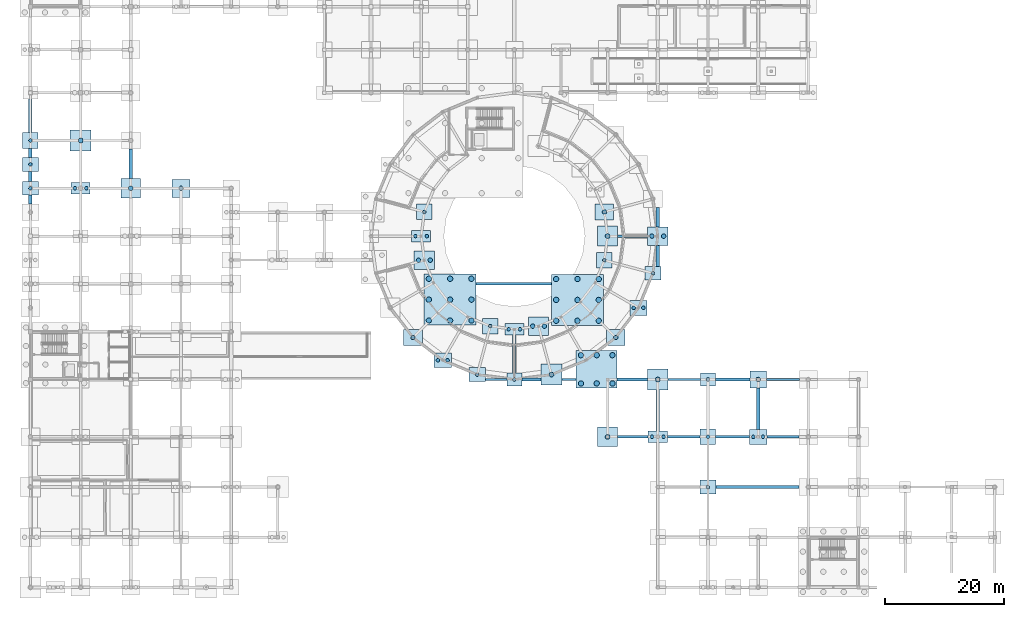
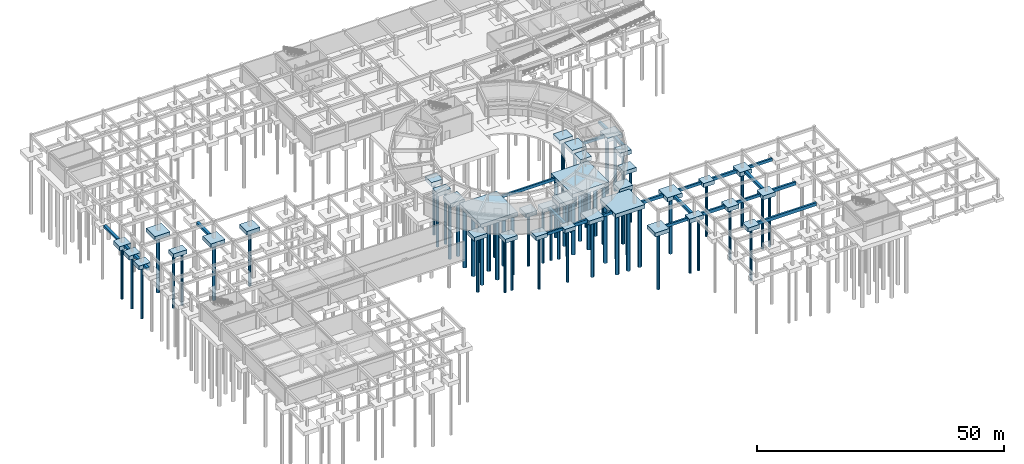
# One storey, part 3 of 43: 67 piles, 60 footings.
"""IFC4 building model written with IfcOpenShell, lengths in metres."""

from ifc_helpers import new_model, si_unit, derived_unit, direction, frame, origin, origin_2d, place, context, subcontext, project, spatial, rectangle, circle, extrude, material, material_profile, profile_set, type_object, element, save


model = new_model("IFC4")

# Units and contexts
model_context = context("Model", 3, precision=1e-05, world=origin(), true_north=direction((0.0, 1.0)))
body_context = subcontext(model_context, "Body", "Model", "MODEL_VIEW")
ifc_project = project(units=[si_unit("LENGTHUNIT", "METRE"), si_unit("AREAUNIT", "SQUARE_METRE"), si_unit("VOLUMEUNIT", "CUBIC_METRE"), si_unit("PLANEANGLEUNIT", "RADIAN"), si_unit("MASSUNIT", "GRAM", prefix="KILO"), derived_unit("THERMALTRANSMITTANCEUNIT", [(si_unit("POWERUNIT", "WATT"), 1), (si_unit("AREAUNIT", "SQUARE_METRE"), -1), (si_unit("THERMODYNAMICTEMPERATUREUNIT", "KELVIN"), -1)])], contexts=[model_context])

# Site, building, storey
site_placement = place(None, origin())
site = spatial("IfcSite", under=ifc_project, at=site_placement, CompositionType="ELEMENT")
building_placement = place(site_placement, origin())
building = spatial("IfcBuilding", under=site, at=building_placement, Name="Yasenodar Specialist Clinic", CompositionType="ELEMENT")
storey_placement = place(building_placement, frame((0.0, 0.0, -4.5)))
storey = spatial("IfcBuildingStorey", under=building, at=storey_placement, Name="B1", CompositionType="ELEMENT", Elevation=-4.5)

# Footings
ifc_material_1 = material(Name="Concrete C35/45", Category="concrete")
ifc_material_profile_1 = material_profile(ifc_material_1, rectangle(XDim=0.39990234375, YDim=0.699951171875, at=origin_2d()), Name="RC 400x700")
ifc_profile_set_1 = profile_set([ifc_material_profile_1], Name="Concrete C35/45")
footing_type_1 = type_object("IfcFootingType", Name="FB-400x700", PredefinedType="FOOTING_BEAM", material=ifc_profile_set_1)
footing_1_placement = place(storey_placement, frame((98.25, 25.199951171875, -0.39990234375), z_axis=(1.0, 0.0, 0.0), x_axis=(0.0, 1.0, 0.0)))
element("IfcFooting", 1, at=footing_1_placement, inside=storey, type_object=footing_type_1, Name="B1 E-W Ground Tie Beam 036", PredefinedType="FOOTING_BEAM", context=body_context, shape_type="SweptSolid", body=[
    extrude(rectangle(XDim=0.39990234375, YDim=0.699951171875, at=origin_2d()), origin(), (0.0, 0.0, 1.0), 5.14990234375),
])
footing_2_placement = place(storey_placement, frame((114.699951171875, 25.199951171875, -0.39990234375), z_axis=(1.0, 0.0, 0.0), x_axis=(0.0, 1.0, 0.0)))
element("IfcFooting", 2, at=footing_2_placement, inside=storey, type_object=footing_type_1, Name="B1 E-W Ground Tie Beam 038", PredefinedType="FOOTING_BEAM", context=body_context, shape_type="SweptSolid", body=[
    extrude(rectangle(XDim=0.39990234375, YDim=0.699951171875, at=origin_2d()), origin(), (0.0, 0.0, 1.0), 5.650146484375),
])
footing_3_placement = place(storey_placement, frame((76.137939453125, 34.800048828125, -0.39990234375), z_axis=(1.0, 0.0, 0.0), x_axis=(0.0, 1.0, 0.0)))
element("IfcFooting", 3, at=footing_3_placement, inside=storey, type_object=footing_type_1, Name="B1 E-W Ground Tie Beam 044", PredefinedType="FOOTING_BEAM", context=body_context, shape_type="SweptSolid", body=[
    extrude(rectangle(XDim=0.39990234375, YDim=0.699951171875, at=origin_2d()), origin(), (0.0, 0.0, 1.0), 3.612060546875),
])
footing_4_placement = place(storey_placement, frame((88.9619140625, 34.800048828125, -0.39990234375), z_axis=(1.0, 0.0, 0.0), x_axis=(0.0, 1.0, 0.0)))
element("IfcFooting", 4, at=footing_4_placement, inside=storey, type_object=footing_type_1, Name="B1 E-W Ground Tie Beam 046", PredefinedType="FOOTING_BEAM", context=body_context, shape_type="SweptSolid", body=[
    extrude(rectangle(XDim=0.39990234375, YDim=0.699951171875, at=origin_2d()), origin(), (0.0, 0.0, 1.0), 2.38818359375),
])
footing_5_placement = place(storey_placement, frame((106.75, 34.800048828125, -0.39990234375), z_axis=(1.0, 0.0, 0.0), x_axis=(0.0, 1.0, 0.0)))
element("IfcFooting", 5, at=footing_5_placement, inside=storey, type_object=footing_type_1, Name="B1 E-W Ground Tie Beam 048", PredefinedType="FOOTING_BEAM", context=body_context, shape_type="SweptSolid", body=[
    extrude(rectangle(XDim=0.39990234375, YDim=0.699951171875, at=origin_2d()), origin(), (0.0, 0.0, 1.0), 5.39990234375),
])
footing_6_placement = place(storey_placement, frame((123.199951171875, 34.800048828125, -0.39990234375), z_axis=(1.0, 0.0, 0.0), x_axis=(0.0, 1.0, 0.0)))
element("IfcFooting", 6, at=footing_6_placement, inside=storey, type_object=footing_type_1, Name="B1 E-W Ground Tie Beam 050", PredefinedType="FOOTING_BEAM", context=body_context, shape_type="SweptSolid", body=[
    extrude(rectangle(XDim=0.39990234375, YDim=0.699951171875, at=origin_2d()), origin(), (0.0, 0.0, 1.0), 5.5),
])
footing_7_placement = place(storey_placement, frame((74.60009765625, 50.800048828125, -0.39990234375), z_axis=(1.0, 0.0, 0.0), x_axis=(0.0, 1.0, 0.0)))
element("IfcFooting", 7, at=footing_7_placement, inside=storey, type_object=footing_type_1, Name="B1 E-W Ground Tie Beam 056", PredefinedType="FOOTING_BEAM", context=body_context, shape_type="SweptSolid", body=[
    extrude(rectangle(XDim=0.39990234375, YDim=0.699951171875, at=origin_2d()), origin(), (0.0, 0.0, 1.0), 12.599853515625),
])
footing_8_placement = place(storey_placement, frame((98.25, 58.800048828125, -0.39990234375), z_axis=(1.0, 0.0, 0.0), x_axis=(0.0, 1.0, 0.0)))
element("IfcFooting", 8, at=footing_8_placement, inside=storey, type_object=footing_type_1, Name="B1 E-W Ground Tie Beam 062", PredefinedType="FOOTING_BEAM", context=body_context, shape_type="SweptSolid", body=[
    extrude(rectangle(XDim=0.39990234375, YDim=0.699951171875, at=origin_2d()), origin(), (0.0, 0.0, 1.0), 5.050048828125),
])
ifc_material_profile_2 = material_profile(ifc_material_1, rectangle(XDim=0.449951171875, YDim=0.800048828125, at=origin_2d()), Name="RC 450x800")
ifc_profile_set_2 = profile_set([ifc_material_profile_2], Name="Concrete C35/45")
footing_type_2 = type_object("IfcFootingType", Name="FB-450x800", PredefinedType="FOOTING_BEAM", material=ifc_profile_set_2)
footing_9_placement = place(storey_placement, frame((114.75, 16.800048828125, -0.39990234375), z_axis=(1.0, 0.0, 0.0), x_axis=(0.0, 1.0, 0.0)))
element("IfcFooting", 9, at=footing_9_placement, inside=storey, type_object=footing_type_2, Name="B1 E-W Ground Tie Beam 027", PredefinedType="FOOTING_BEAM", context=body_context, shape_type="SweptSolid", body=[
    extrude(rectangle(XDim=0.449951171875, YDim=0.800048828125, at=origin_2d()), origin(), (0.0, 0.0, 1.0), 13.85009765625),
])
footing_10_placement = place(storey_placement, frame((106.60009765625, 25.199951171875, -0.39990234375), z_axis=(1.0, 0.0, 0.0), x_axis=(0.0, 1.0, 0.0)))
element("IfcFooting", 10, at=footing_10_placement, inside=storey, type_object=footing_type_2, Name="B1 E-W Ground Tie Beam 037", PredefinedType="FOOTING_BEAM", context=body_context, shape_type="SweptSolid", body=[
    extrude(rectangle(XDim=0.449951171875, YDim=0.800048828125, at=origin_2d()), origin(), (0.0, 0.0, 1.0), 5.5),
])
footing_11_placement = place(storey_placement, frame((123.25, 25.199951171875, -0.39990234375), z_axis=(1.0, 0.0, 0.0), x_axis=(0.0, 1.0, 0.0)))
element("IfcFooting", 11, at=footing_11_placement, inside=storey, type_object=footing_type_2, Name="B1 E-W Ground Tie Beam 039", PredefinedType="FOOTING_BEAM", context=body_context, shape_type="SweptSolid", body=[
    extrude(rectangle(XDim=0.449951171875, YDim=0.800048828125, at=origin_2d()), origin(), (0.0, 0.0, 1.0), 5.39990234375),
])
footing_12_placement = place(storey_placement, frame((82.25, 34.800048828125, -0.39990234375), z_axis=(1.0, 0.0, 0.0), x_axis=(0.0, 1.0, 0.0)))
element("IfcFooting", 12, at=footing_12_placement, inside=storey, type_object=footing_type_2, Name="B1 E-W Ground Tie Beam 045", PredefinedType="FOOTING_BEAM", context=body_context, shape_type="SweptSolid", body=[
    extrude(rectangle(XDim=0.449951171875, YDim=0.800048828125, at=origin_2d()), origin(), (0.0, 0.0, 1.0), 3.2119140625),
])
footing_13_placement = place(storey_placement, frame((98.199951171875, 34.800048828125, -0.39990234375), z_axis=(1.0, 0.0, 0.0), x_axis=(0.0, 1.0, 0.0)))
element("IfcFooting", 13, at=footing_13_placement, inside=storey, type_object=footing_type_2, Name="B1 E-W Ground Tie Beam 047", PredefinedType="FOOTING_BEAM", context=body_context, shape_type="SweptSolid", body=[
    extrude(rectangle(XDim=0.449951171875, YDim=0.800048828125, at=origin_2d()), origin(), (0.0, 0.0, 1.0), 5.050048828125),
])
footing_14_placement = place(storey_placement, frame((114.64990234375, 34.800048828125, -0.39990234375), z_axis=(1.0, 0.0, 0.0), x_axis=(0.0, 1.0, 0.0)))
element("IfcFooting", 14, at=footing_14_placement, inside=storey, type_object=footing_type_2, Name="B1 E-W Ground Tie Beam 049", PredefinedType="FOOTING_BEAM", context=body_context, shape_type="SweptSolid", body=[
    extrude(rectangle(XDim=0.449951171875, YDim=0.800048828125, at=origin_2d()), origin(), (0.0, 0.0, 1.0), 5.75),
])
ifc_material_profile_3 = material_profile(ifc_material_1, rectangle(XDim=0.60009765625, YDim=0.60009765625, at=origin_2d()), Name="RC 600x600")
ifc_profile_set_3 = profile_set([ifc_material_profile_3], Name="Concrete C35/45")
footing_type_3 = type_object("IfcFootingType", Name="FB-600x600", PredefinedType="FOOTING_BEAM", material=ifc_profile_set_3)
footing_15_placement = place(storey_placement, frame((0.0, 64.199951171875, -0.300048828125), z_axis=(0.0, 1.0, 0.0), x_axis=(-1.0, 0.0, 0.0)))
element("IfcFooting", 15, at=footing_15_placement, inside=storey, type_object=footing_type_3, Name="B1 N-S Ground Tie Beam 130", PredefinedType="FOOTING_BEAM", context=body_context, shape_type="SweptSolid", body=[
    extrude(rectangle(XDim=0.60009765625, YDim=0.60009765625, at=origin_2d()), origin(), (0.0, 0.0, 1.0), 1.449951171875),
])
footing_16_placement = place(storey_placement, frame((0.0, 67.949951171875, -0.300048828125), z_axis=(0.0, 1.0, 0.0), x_axis=(-1.0, 0.0, 0.0)))
element("IfcFooting", 16, at=footing_16_placement, inside=storey, type_object=footing_type_3, Name="B1 N-S Ground Tie Beam 131", PredefinedType="FOOTING_BEAM", context=body_context, shape_type="SweptSolid", body=[
    extrude(rectangle(XDim=0.60009765625, YDim=0.60009765625, at=origin_2d()), origin(), (0.0, 0.0, 1.0), 1.699951171875),
])
footing_17_placement = place(storey_placement, frame((0.0, 71.949951171875, -0.300048828125), z_axis=(0.0, 1.0, 0.0), x_axis=(-1.0, 0.0, 0.0)))
element("IfcFooting", 17, at=footing_17_placement, inside=storey, type_object=footing_type_3, Name="B1 N-S Ground Tie Beam 132", PredefinedType="FOOTING_BEAM", context=body_context, shape_type="SweptSolid", body=[
    extrude(rectangle(XDim=0.60009765625, YDim=0.60009765625, at=origin_2d()), origin(), (0.0, 0.0, 1.0), 1.550048828125),
])
footing_18_placement = place(storey_placement, frame((0.0, 76.10009765625, -0.300048828125), z_axis=(0.0, 1.0, 0.0), x_axis=(-1.0, 0.0, 0.0)))
element("IfcFooting", 18, at=footing_18_placement, inside=storey, type_object=footing_type_3, Name="B1 N-S Ground Tie Beam 133", PredefinedType="FOOTING_BEAM", context=body_context, shape_type="SweptSolid", body=[
    extrude(rectangle(XDim=0.60009765625, YDim=0.60009765625, at=origin_2d()), origin(), (0.0, 0.0, 1.0), 5.64990234375),
])
footing_19_placement = place(storey_placement, frame((16.800048828125, 68.449951171875, -0.300048828125), z_axis=(0.0, 1.0, 0.0), x_axis=(-1.0, 0.0, 0.0)))
element("IfcFooting", 19, at=footing_19_placement, inside=storey, type_object=footing_type_3, Name="B1 N-S Ground Tie Beam 145", PredefinedType="FOOTING_BEAM", context=body_context, shape_type="SweptSolid", body=[
    extrude(rectangle(XDim=0.60009765625, YDim=0.60009765625, at=origin_2d()), origin(), (0.0, 0.0, 1.0), 4.900146484375),
])
footing_20_placement = place(storey_placement, frame((81.0, 35.85009765625, -0.300048828125), z_axis=(0.0, 1.0, 0.0), x_axis=(-1.0, 0.0, 0.0)))
element("IfcFooting", 20, at=footing_20_placement, inside=storey, type_object=footing_type_3, Name="B1 N-S Ground Tie Beam 167", PredefinedType="FOOTING_BEAM", context=body_context, shape_type="SweptSolid", body=[
    extrude(rectangle(XDim=0.60009765625, YDim=0.60009765625, at=origin_2d()), origin(), (0.0, 0.0, 1.0), 6.39990234375),
])
footing_21_placement = place(storey_placement, frame((105.0, 26.14990234375, -0.300048828125), z_axis=(0.0, 1.0, 0.0), x_axis=(-1.0, 0.0, 0.0)))
element("IfcFooting", 21, at=footing_21_placement, inside=storey, type_object=footing_type_3, Name="B1 N-S Ground Tie Beam 174", PredefinedType="FOOTING_BEAM", context=body_context, shape_type="SweptSolid", body=[
    extrude(rectangle(XDim=0.60009765625, YDim=0.60009765625, at=origin_2d()), origin(), (0.0, 0.0, 1.0), 6.900146484375),
])
footing_22_placement = place(storey_placement, frame((105.0, 53.738037109375, -0.300048828125), z_axis=(0.0, 1.0, 0.0), x_axis=(-1.0, 0.0, 0.0)))
element("IfcFooting", 22, at=footing_22_placement, inside=storey, type_object=footing_type_3, Name="B1 N-S Ground Tie Beam 175", PredefinedType="FOOTING_BEAM", context=body_context, shape_type="SweptSolid", body=[
    extrude(rectangle(XDim=0.60009765625, YDim=0.60009765625, at=origin_2d()), origin(), (0.0, 0.0, 1.0), 3.511962890625),
])
footing_23_placement = place(storey_placement, frame((105.0, 60.35009765625, -0.300048828125), z_axis=(0.0, 1.0, 0.0), x_axis=(-1.0, 0.0, 0.0)))
element("IfcFooting", 23, at=footing_23_placement, inside=storey, type_object=footing_type_3, Name="B1 N-S Ground Tie Beam 176", PredefinedType="FOOTING_BEAM", context=body_context, shape_type="SweptSolid", body=[
    extrude(rectangle(XDim=0.60009765625, YDim=0.60009765625, at=origin_2d()), origin(), (0.0, 0.0, 1.0), 3.2119140625),
])
footing_24_placement = place(storey_placement, frame((121.800048828125, 26.449951171875, -0.300048828125), z_axis=(0.0, 1.0, 0.0), x_axis=(-1.0, 0.0, 0.0)))
element("IfcFooting", 24, at=footing_24_placement, inside=storey, type_object=footing_type_3, Name="B1 N-S Ground Tie Beam 182", PredefinedType="FOOTING_BEAM", context=body_context, shape_type="SweptSolid", body=[
    extrude(rectangle(XDim=0.60009765625, YDim=0.60009765625, at=origin_2d()), origin(), (0.0, 0.0, 1.0), 6.949951171875),
])
footing_type_4 = type_object("IfcFootingType", Name="PC-250x210", PredefinedType="PILE_CAP", material=ifc_material_1)
for number, where, z_axis, x_axis, name in (
    (25, (81.0, 34.800048828125, -1.0), (0.0, 0.0, 1.0), (1.0, 0.0, 0.0), "B1 Pile Cap 053"),
    (26, (113.39990234375, 34.800048828125, -1.0), (0.0, 0.0, 1.0), (1.0, 0.0, 0.0), "B1 Pile Cap 054"),
):
    element("IfcFooting", number, at=place(storey_placement, frame(where, z_axis=z_axis, x_axis=x_axis)), inside=storey, type_object=footing_type_4, Name=name, PredefinedType="PILE_CAP", context=body_context, shape_type="SweptSolid", body=[
        extrude(rectangle(XDim=2.5, YDim=2.10009765625, at=origin_2d()), origin(), (0.0, 0.0, 1.0), 1.0),
    ])
footing_type_5 = type_object("IfcFootingType", Name="PC-260x260", PredefinedType="PILE_CAP", material=ifc_material_1)
for number, where, z_axis, x_axis, name in (
    (27, (113.39990234375, 25.199951171875, -1.0), (0.0, 0.0, 1.0), (1.0, 0.0, 0.0), "B1 Pile Cap 040"),
    (28, (76.9619140625, 43.73193359375, -1.0), (0.0, 0.0, 1.0), (1.0, 0.0, 0.0), "B1 Pile Cap 065"),
    (29, (96.068115234375, 54.761962890625, -1.0), (0.0, 0.0, 1.0), (1.0, 0.0, 0.0), "B1 Pile Cap 081"),
    (30, (65.931884765625, 62.837890625, -1.0), (0.0, 0.0, 1.0), (1.0, 0.0, 0.0), "B1 Pile Cap 098"),
    (31, (0.0, 74.800048828125, -1.0), (0.0, 0.0, 1.0), (1.0, 0.0, 0.0), "B1 Pile Cap 116"),
):
    element("IfcFooting", number, at=place(storey_placement, frame(where, z_axis=z_axis, x_axis=x_axis)), inside=storey, type_object=footing_type_5, Name=name, PredefinedType="PILE_CAP", context=body_context, shape_type="SweptSolid", body=[
        extrude(rectangle(XDim=2.60009765625, YDim=2.60009765625, at=origin_2d()), origin(), (0.0, 0.0, 1.0), 1.0),
    ])
footing_type_6 = type_object("IfcFootingType", Name="PC-270x230", PredefinedType="PILE_CAP", material=ifc_material_1)
for number, where, z_axis, x_axis, name in (
    (32, (113.39990234375, 16.800048828125, -1.0), (0.0, 0.0, 1.0), (1.0, 0.0, 0.0), "B1 Pile Cap 029"),
    (33, (74.7880859375, 35.617919921875, -1.0), (0.0, 0.0, 1.0), (1.0, 0.0, 0.0), "B1 Pile Cap 056"),
    (34, (104.181884765625, 52.587890625, -1.0), (0.0, 0.0, 1.0), (1.0, 0.0, 0.0), "B1 Pile Cap 077"),
    (35, (0.0, 66.800048828125, -1.0), (0.0, 0.0, 1.0), (1.0, 0.0, 0.0), "B1 Pile Cap 106"),
    (36, (0.0, 70.800048828125, -1.0), (0.0, 0.0, 1.0), (1.0, 0.0, 0.0), "B1 Pile Cap 111"),
):
    element("IfcFooting", number, at=place(storey_placement, frame(where, z_axis=z_axis, x_axis=x_axis)), inside=storey, type_object=footing_type_6, Name=name, PredefinedType="PILE_CAP", context=body_context, shape_type="SweptSolid", body=[
        extrude(rectangle(XDim=2.699951171875, YDim=2.300048828125, at=origin_2d()), origin(), (0.0, 0.0, 1.0), 1.0),
    ])
footing_type_7 = type_object("IfcFootingType", Name="PC-280x280", PredefinedType="PILE_CAP", material=ifc_material_1)
footing_25_placement = place(storey_placement, frame((121.800048828125, 34.800048828125, -1.0), z_axis=(0.0, 0.0, 1.0), x_axis=(1.0, 0.0, 0.0)))
element("IfcFooting", 37, at=footing_25_placement, inside=storey, type_object=footing_type_7, Name="B1 Pile Cap 051", PredefinedType="PILE_CAP", context=body_context, shape_type="SweptSolid", body=[
    extrude(rectangle(XDim=2.800048828125, YDim=2.800048828125, at=origin_2d()), origin(), (0.0, 0.0, 1.0), 1.0),
])
footing_type_8 = type_object("IfcFootingType", Name="PC-290x250", PredefinedType="PILE_CAP", material=ifc_material_1)
for number, where, z_axis, x_axis, name in (
    (38, (121.800048828125, 25.199951171875, -1.0), (0.0, 0.0, 1.0), (1.0, 0.0, 0.0), "B1 Pile Cap 042"),
    (39, (69.0, 38.014892578125, -1.0), (0.0, 0.0, 1.0), (1.0, 0.0, 0.0), "B1 Pile Cap 057"),
    (40, (101.784912109375, 46.800048828125, -1.0), (0.0, 0.0, 1.0), (1.0, 0.0, 0.0), "B1 Pile Cap 070"),
):
    element("IfcFooting", number, at=place(storey_placement, frame(where, z_axis=z_axis, x_axis=x_axis)), inside=storey, type_object=footing_type_8, Name=name, PredefinedType="PILE_CAP", context=body_context, shape_type="SweptSolid", body=[
        extrude(rectangle(XDim=2.89990234375, YDim=2.5, at=origin_2d()), origin(), (0.0, 0.0, 1.0), 1.0),
    ])
footing_type_9 = type_object("IfcFootingType", Name="PC-300x300", PredefinedType="PILE_CAP", material=ifc_material_1)
footing_26_placement = place(storey_placement, frame((25.199951171875, 66.800048828125, -1.0), z_axis=(0.0, 0.0, 1.0), x_axis=(1.0, 0.0, 0.0)))
element("IfcFooting", 41, at=footing_26_placement, inside=storey, type_object=footing_type_9, Name="B1 Pile Cap 103", PredefinedType="PILE_CAP", context=body_context, shape_type="SweptSolid", body=[
    extrude(rectangle(XDim=3.0, YDim=3.0, at=origin_2d()), origin(), (0.0, 0.0, 1.0), 1.0),
])
footing_type_10 = type_object("IfcFootingType", Name="PC-310x270", PredefinedType="PILE_CAP", material=ifc_material_1)
for number, where, z_axis, x_axis, name in (
    (42, (64.029052734375, 41.8291015625, -1.0), (0.0, 0.0, 1.0), (1.0, 0.0, 0.0), "B1 Pile Cap 058"),
    (43, (97.970947265625, 41.8291015625, -1.0), (0.0, 0.0, 1.0), (1.0, 0.0, 0.0), "B1 Pile Cap 059"),
    (44, (96.068115234375, 62.837890625, -1.0), (0.0, 0.0, 1.0), (1.0, 0.0, 0.0), "B1 Pile Cap 097"),
):
    element("IfcFooting", number, at=place(storey_placement, frame(where, z_axis=z_axis, x_axis=x_axis)), inside=storey, type_object=footing_type_10, Name=name, PredefinedType="PILE_CAP", context=body_context, shape_type="SweptSolid", body=[
        extrude(rectangle(XDim=3.10009765625, YDim=2.699951171875, at=origin_2d()), origin(), (0.0, 0.0, 1.0), 1.0),
    ])
footing_type_11 = type_object("IfcFootingType", Name="PC-320x190", PredefinedType="PILE_CAP", material=ifc_material_1)
for number, where, z_axis, x_axis, name in (
    (45, (105.0, 25.199951171875, -1.0), (0.0, 0.0, 1.0), (1.0, 0.0, 0.0), "B1 Pile Cap 043"),
    (46, (81.0, 43.199951171875, -1.0), (0.0, 0.0, 1.0), (1.0, 0.0, 0.0), "B1 Pile Cap 064"),
    (47, (65.39990234375, 58.800048828125, -1.0), (0.0, 0.0, 1.0), (1.0, 0.0, 0.0), "B1 Pile Cap 092"),
    (48, (8.39990234375, 66.800048828125, -1.0), (0.0, 0.0, 1.0), (1.0, 0.0, 0.0), "B1 Pile Cap 107"),
):
    element("IfcFooting", number, at=place(storey_placement, frame(where, z_axis=z_axis, x_axis=x_axis)), inside=storey, type_object=footing_type_11, Name=name, PredefinedType="PILE_CAP", context=body_context, shape_type="SweptSolid", body=[
        extrude(rectangle(XDim=3.199951171875, YDim=1.89990234375, at=origin_2d()), origin(), (0.0, 0.0, 1.0), 1.0),
    ])
footing_type_12 = type_object("IfcFootingType", Name="PC-330x330", PredefinedType="PILE_CAP", material=ifc_material_1)
for number, where, z_axis, x_axis, name in (
    (49, (96.60009765625, 25.199951171875, -1.0), (0.0, 0.0, 1.0), (1.0, 0.0, 0.0), "B1 Pile Cap 035"),
    (50, (96.60009765625, 58.800048828125, -1.0), (0.0, 0.0, 1.0), (1.0, 0.0, 0.0), "B1 Pile Cap 084"),
    (51, (16.800048828125, 66.800048828125, -1.0), (0.0, 0.0, 1.0), (1.0, 0.0, 0.0), "B1 Pile Cap 101"),
):
    element("IfcFooting", number, at=place(storey_placement, frame(where, z_axis=z_axis, x_axis=x_axis)), inside=storey, type_object=footing_type_12, Name=name, PredefinedType="PILE_CAP", context=body_context, shape_type="SweptSolid", body=[
        extrude(rectangle(XDim=3.300048828125, YDim=3.300048828125, at=origin_2d()), origin(), (0.0, 0.0, 1.0), 1.0),
    ])
footing_type_13 = type_object("IfcFootingType", Name="PC-340x310", PredefinedType="PILE_CAP", material=ifc_material_1)
for number, where, z_axis, x_axis, name in (
    (52, (85.0380859375, 43.73193359375, -1.0), (0.0, 0.0, 1.0), (1.0, 0.0, 0.0), "B1 Pile Cap 063"),
    (53, (65.931884765625, 54.761962890625, -1.0), (0.0, 0.0, 1.0), (1.0, 0.0, 0.0), "B1 Pile Cap 078"),
    (54, (105.0, 58.800048828125, -1.0), (0.0, 0.0, 1.0), (1.0, 0.0, 0.0), "B1 Pile Cap 086"),
):
    element("IfcFooting", number, at=place(storey_placement, frame(where, z_axis=z_axis, x_axis=x_axis)), inside=storey, type_object=footing_type_13, Name=name, PredefinedType="PILE_CAP", context=body_context, shape_type="SweptSolid", body=[
        extrude(rectangle(XDim=3.39990234375, YDim=3.10009765625, at=origin_2d()), origin(), (0.0, 0.0, 1.0), 1.0),
    ])
footing_type_14 = type_object("IfcFootingType", Name="PC-350x350", PredefinedType="PILE_CAP", material=ifc_material_1)
for number, where, z_axis, x_axis, name in (
    (55, (105.0, 34.800048828125, -1.0), (0.0, 0.0, 1.0), (1.0, 0.0, 0.0), "B1 Pile Cap 044"),
    (56, (87.2119140625, 35.617919921875, -1.0), (0.0, 0.0, 1.0), (1.0, 0.0, 0.0), "B1 Pile Cap 055"),
    (57, (8.39990234375, 74.800048828125, -1.0), (0.0, 0.0, 1.0), (1.0, 0.0, 0.0), "B1 Pile Cap 114"),
):
    element("IfcFooting", number, at=place(storey_placement, frame(where, z_axis=z_axis, x_axis=x_axis)), inside=storey, type_object=footing_type_14, Name=name, PredefinedType="PILE_CAP", context=body_context, shape_type="SweptSolid", body=[
        extrude(rectangle(XDim=3.5, YDim=3.5, at=origin_2d()), origin(), (0.0, 0.0, 1.0), 1.0),
    ])
footing_type_15 = type_object("IfcFootingType", Name="PC-685x631", PredefinedType="PILE_CAP", material=ifc_material_1)
footing_27_placement = place(storey_placement, frame((94.77490234375, 36.507568359375, -1.0), z_axis=(0.0, 0.0, 1.0), x_axis=(1.0, 0.0, 0.0)))
element("IfcFooting", 58, at=footing_27_placement, inside=storey, type_object=footing_type_15, Name="B1 Pile Cap 048", PredefinedType="PILE_CAP", context=body_context, shape_type="SweptSolid", body=[
    extrude(rectangle(XDim=6.85009765625, YDim=6.31005859375, at=origin_2d()), origin(), (0.0, 0.0, 1.0), 1.0),
])
footing_type_16 = type_object("IfcFootingType", Name="PC-871x856", PredefinedType="PILE_CAP", material=ifc_material_1)
for number, where, z_axis, x_axis, name in (
    (59, (91.554931640625, 48.1201171875, -1.0), (0.0, 0.0, 1.0), (1.0, 0.0, 0.0), "B1 Pile Cap 066"),
    (60, (70.2451171875, 48.169921875, -1.0), (0.0, 0.0, 1.0), (1.0, 0.0, 0.0), "B1 Pile Cap 067"),
):
    element("IfcFooting", number, at=place(storey_placement, frame(where, z_axis=z_axis, x_axis=x_axis)), inside=storey, type_object=footing_type_16, Name=name, PredefinedType="PILE_CAP", context=body_context, shape_type="SweptSolid", body=[
        extrude(rectangle(XDim=8.7099609375, YDim=8.56005859375, at=origin_2d()), origin(), (0.0, 0.0, 1.0), 1.0),
    ])

# Piles
ifc_material_2 = material(Name="Concrete C30/37", Category="concrete")
ifc_material_profile_4 = material_profile(ifc_material_2, circle(Radius=0.300048828125, at=origin_2d()), Name="PILE D600")
ifc_profile_set_4 = profile_set([ifc_material_profile_4], Name="Concrete C30/37")
pile_type_1 = type_object("IfcPileType", Name="PILE-D600", PredefinedType="BORED", material=ifc_profile_set_4)
for number, where, z_axis, x_axis, name in (
    (61, (113.39990234375, 16.800048828125, -0.89990234375), (0.0, 0.0, -1.0), (1.0, 0.0, 0.0), "B1 Bored Pile 0050"),
    (62, (113.39990234375, 25.199951171875, -0.89990234375), (0.0, 0.0, -1.0), (1.0, 0.0, 0.0), "B1 Bored Pile 0063"),
    (63, (120.989990234375, 25.199951171875, -0.89990234375), (0.0, 0.0, -1.0), (1.0, 0.0, 0.0), "B1 Bored Pile 0066"),
    (64, (122.610107421875, 25.199951171875, -0.89990234375), (0.0, 0.0, -1.0), (1.0, 0.0, 0.0), "B1 Bored Pile 0067"),
    (65, (104.0400390625, 25.199951171875, -0.89990234375), (0.0, 0.0, -1.0), (1.0, 0.0, 0.0), "B1 Bored Pile 0068"),
    (66, (105.9599609375, 25.199951171875, -0.89990234375), (0.0, 0.0, -1.0), (1.0, 0.0, 0.0), "B1 Bored Pile 0069"),
    (67, (81.0, 34.800048828125, -0.89990234375), (0.0, 0.0, -1.0), (1.0, 0.0, 0.0), "B1 Bored Pile 0101"),
    (68, (113.39990234375, 34.800048828125, -0.89990234375), (0.0, 0.0, -1.0), (1.0, 0.0, 0.0), "B1 Bored Pile 0102"),
    (69, (74.7880859375, 35.617919921875, -0.89990234375), (0.0, 0.0, -1.0), (1.0, 0.0, 0.0), "B1 Bored Pile 0104"),
    (70, (68.18994140625, 38.014892578125, -0.89990234375), (0.0, 0.0, -1.0), (1.0, 0.0, 0.0), "B1 Bored Pile 0105"),
    (71, (69.81005859375, 38.014892578125, -0.89990234375), (0.0, 0.0, -1.0), (1.0, 0.0, 0.0), "B1 Bored Pile 0106"),
    (72, (80.0400390625, 43.199951171875, -0.89990234375), (0.0, 0.0, -1.0), (1.0, 0.0, 0.0), "B1 Bored Pile 0115"),
    (73, (81.9599609375, 43.199951171875, -0.89990234375), (0.0, 0.0, -1.0), (1.0, 0.0, 0.0), "B1 Bored Pile 0116"),
    (74, (76.9619140625, 43.73193359375, -0.89990234375), (0.0, 0.0, -1.0), (1.0, 0.0, 0.0), "B1 Bored Pile 0117"),
    (75, (100.97509765625, 46.800048828125, -0.89990234375), (0.0, 0.0, -1.0), (1.0, 0.0, 0.0), "B1 Bored Pile 0138"),
    (76, (102.594970703125, 46.800048828125, -0.89990234375), (0.0, 0.0, -1.0), (1.0, 0.0, 0.0), "B1 Bored Pile 0139"),
    (77, (104.181884765625, 52.587890625, -0.89990234375), (0.0, 0.0, -1.0), (1.0, 0.0, 0.0), "B1 Bored Pile 0150"),
    (78, (96.068115234375, 54.761962890625, -0.89990234375), (0.0, 0.0, -1.0), (1.0, 0.0, 0.0), "B1 Bored Pile 0156"),
    (79, (64.43994140625, 58.800048828125, -0.89990234375), (0.0, 0.0, -1.0), (1.0, 0.0, 0.0), "B1 Bored Pile 0171"),
    (80, (66.360107421875, 58.800048828125, -0.89990234375), (0.0, 0.0, -1.0), (1.0, 0.0, 0.0), "B1 Bored Pile 0172"),
    (81, (65.931884765625, 62.837890625, -0.89990234375), (0.0, 0.0, -1.0), (1.0, 0.0, 0.0), "B1 Bored Pile 0181"),
    (82, (0.0, 66.800048828125, -0.89990234375), (0.0, 0.0, -1.0), (1.0, 0.0, 0.0), "B1 Bored Pile 0206"),
    (83, (7.43994140625, 66.800048828125, -0.89990234375), (0.0, 0.0, -1.0), (1.0, 0.0, 0.0), "B1 Bored Pile 0207"),
    (84, (9.360107421875, 66.800048828125, -0.89990234375), (0.0, 0.0, -1.0), (1.0, 0.0, 0.0), "B1 Bored Pile 0208"),
    (85, (0.0, 70.800048828125, -0.89990234375), (0.0, 0.0, -1.0), (1.0, 0.0, 0.0), "B1 Bored Pile 0213"),
    (86, (0.0, 74.800048828125, -0.89990234375), (0.0, 0.0, -1.0), (1.0, 0.0, 0.0), "B1 Bored Pile 0218"),
):
    element("IfcPile", number, at=place(storey_placement, frame(where, z_axis=z_axis, x_axis=x_axis)), inside=storey, type_object=pile_type_1, Name=name, PredefinedType="BORED", context=body_context, shape_type="SweptSolid", body=[
        extrude(circle(Radius=0.300048828125, at=origin_2d()), origin(), (0.0, 0.0, 1.0), 13.10009765625),
    ])
ifc_material_profile_5 = material_profile(ifc_material_2, circle(Radius=0.375, at=origin_2d()), Name="PILE D750")
ifc_profile_set_5 = profile_set([ifc_material_profile_5], Name="Concrete C30/37")
pile_type_2 = type_object("IfcPileType", Name="PILE-D750", PredefinedType="BORED", material=ifc_profile_set_5)
for number, where, z_axis, x_axis, name in (
    (87, (121.800048828125, 34.800048828125, -0.89990234375), (0.0, 0.0, -1.0), (1.0, 0.0, 0.0), "B1 Bored Pile 0099"),
    (88, (64.029052734375, 41.8291015625, -0.89990234375), (0.0, 0.0, -1.0), (1.0, 0.0, 0.0), "B1 Bored Pile 0107"),
    (89, (97.970947265625, 41.8291015625, -0.89990234375), (0.0, 0.0, -1.0), (1.0, 0.0, 0.0), "B1 Bored Pile 0108"),
    (90, (84.052978515625, 43.73193359375, -0.89990234375), (0.0, 0.0, -1.0), (1.0, 0.0, 0.0), "B1 Bored Pile 0113"),
    (91, (86.02294921875, 43.73193359375, -0.89990234375), (0.0, 0.0, -1.0), (1.0, 0.0, 0.0), "B1 Bored Pile 0114"),
    (92, (64.947021484375, 54.761962890625, -0.89990234375), (0.0, 0.0, -1.0), (1.0, 0.0, 0.0), "B1 Bored Pile 0151"),
    (93, (66.9169921875, 54.761962890625, -0.89990234375), (0.0, 0.0, -1.0), (1.0, 0.0, 0.0), "B1 Bored Pile 0152"),
    (94, (104.014892578125, 58.800048828125, -0.89990234375), (0.0, 0.0, -1.0), (1.0, 0.0, 0.0), "B1 Bored Pile 0164"),
    (95, (105.985107421875, 58.800048828125, -0.89990234375), (0.0, 0.0, -1.0), (1.0, 0.0, 0.0), "B1 Bored Pile 0165"),
    (96, (96.068115234375, 62.837890625, -0.89990234375), (0.0, 0.0, -1.0), (1.0, 0.0, 0.0), "B1 Bored Pile 0180"),
    (97, (25.199951171875, 66.800048828125, -0.89990234375), (0.0, 0.0, -1.0), (1.0, 0.0, 0.0), "B1 Bored Pile 0202"),
):
    element("IfcPile", number, at=place(storey_placement, frame(where, z_axis=z_axis, x_axis=x_axis)), inside=storey, type_object=pile_type_2, Name=name, PredefinedType="BORED", context=body_context, shape_type="SweptSolid", body=[
        extrude(circle(Radius=0.375, at=origin_2d()), origin(), (0.0, 0.0, 1.0), 13.800048828125),
    ])
ifc_material_profile_6 = material_profile(ifc_material_2, circle(Radius=0.39990234375, at=origin_2d()), Name="PILE D800")
ifc_profile_set_6 = profile_set([ifc_material_profile_6], Name="Concrete C30/37")
pile_type_3 = type_object("IfcPileType", Name="PILE-D800", PredefinedType="BORED", material=ifc_profile_set_6)
for number, where, z_axis, x_axis, name in (
    (98, (96.60009765625, 25.199951171875, -0.89990234375), (0.0, 0.0, -1.0), (1.0, 0.0, 0.0), "B1 Bored Pile 0058"),
    (99, (105.0, 34.800048828125, -0.89990234375), (0.0, 0.0, -1.0), (1.0, 0.0, 0.0), "B1 Bored Pile 0070"),
    (100, (87.2119140625, 35.617919921875, -0.89990234375), (0.0, 0.0, -1.0), (1.0, 0.0, 0.0), "B1 Bored Pile 0103"),
    (101, (96.60009765625, 58.800048828125, -0.89990234375), (0.0, 0.0, -1.0), (1.0, 0.0, 0.0), "B1 Bored Pile 0161"),
    (102, (16.800048828125, 66.800048828125, -0.89990234375), (0.0, 0.0, -1.0), (1.0, 0.0, 0.0), "B1 Bored Pile 0185"),
    (103, (8.39990234375, 74.800048828125, -0.89990234375), (0.0, 0.0, -1.0), (1.0, 0.0, 0.0), "B1 Bored Pile 0216"),
):
    element("IfcPile", number, at=place(storey_placement, frame(where, z_axis=z_axis, x_axis=x_axis)), inside=storey, type_object=pile_type_3, Name=name, PredefinedType="BORED", context=body_context, shape_type="SweptSolid", body=[
        extrude(circle(Radius=0.39990234375, at=origin_2d()), origin(), (0.0, 0.0, 1.0), 14.39990234375),
    ])
ifc_material_profile_7 = material_profile(ifc_material_2, circle(Radius=0.449951171875, at=origin_2d()), Name="PILE D900")
ifc_profile_set_7 = profile_set([ifc_material_profile_7], Name="Concrete C30/37")
pile_type_4 = type_object("IfcPileType", Name="PILE-D900", PredefinedType="BORED", material=ifc_profile_set_7)
for number, where, z_axis, x_axis, name in (
    (104, (92.139892578125, 34.139892578125, -0.89990234375), (0.0, 0.0, -1.0), (1.0, 0.0, 0.0), "B1 Bored Pile 0076"),
    (105, (92.139892578125, 38.8701171875, -0.89990234375), (0.0, 0.0, -1.0), (1.0, 0.0, 0.0), "B1 Bored Pile 0077"),
    (106, (94.77490234375, 34.139892578125, -0.89990234375), (0.0, 0.0, -1.0), (1.0, 0.0, 0.0), "B1 Bored Pile 0078"),
    (107, (94.77490234375, 38.8701171875, -0.89990234375), (0.0, 0.0, -1.0), (1.0, 0.0, 0.0), "B1 Bored Pile 0079"),
    (108, (97.409912109375, 34.139892578125, -0.89990234375), (0.0, 0.0, -1.0), (1.0, 0.0, 0.0), "B1 Bored Pile 0080"),
    (109, (97.409912109375, 38.8701171875, -0.89990234375), (0.0, 0.0, -1.0), (1.0, 0.0, 0.0), "B1 Bored Pile 0081"),
    (110, (87.989990234375, 44.6298828125, -0.89990234375), (0.0, 0.0, -1.0), (1.0, 0.0, 0.0), "B1 Bored Pile 0118"),
    (111, (87.989990234375, 48.1201171875, -0.89990234375), (0.0, 0.0, -1.0), (1.0, 0.0, 0.0), "B1 Bored Pile 0119"),
    (112, (87.989990234375, 51.610107421875, -0.89990234375), (0.0, 0.0, -1.0), (1.0, 0.0, 0.0), "B1 Bored Pile 0120"),
    (113, (91.554931640625, 44.6298828125, -0.89990234375), (0.0, 0.0, -1.0), (1.0, 0.0, 0.0), "B1 Bored Pile 0121"),
    (114, (91.554931640625, 48.1201171875, -0.89990234375), (0.0, 0.0, -1.0), (1.0, 0.0, 0.0), "B1 Bored Pile 0122"),
    (115, (91.554931640625, 51.610107421875, -0.89990234375), (0.0, 0.0, -1.0), (1.0, 0.0, 0.0), "B1 Bored Pile 0123"),
    (116, (95.1201171875, 44.6298828125, -0.89990234375), (0.0, 0.0, -1.0), (1.0, 0.0, 0.0), "B1 Bored Pile 0124"),
    (117, (95.1201171875, 48.1201171875, -0.89990234375), (0.0, 0.0, -1.0), (1.0, 0.0, 0.0), "B1 Bored Pile 0125"),
    (118, (95.1201171875, 51.610107421875, -0.89990234375), (0.0, 0.0, -1.0), (1.0, 0.0, 0.0), "B1 Bored Pile 0126"),
    (119, (66.679931640625, 44.679931640625, -0.89990234375), (0.0, 0.0, -1.0), (1.0, 0.0, 0.0), "B1 Bored Pile 0127"),
    (120, (66.679931640625, 48.169921875, -0.89990234375), (0.0, 0.0, -1.0), (1.0, 0.0, 0.0), "B1 Bored Pile 0128"),
    (121, (66.679931640625, 51.659912109375, -0.89990234375), (0.0, 0.0, -1.0), (1.0, 0.0, 0.0), "B1 Bored Pile 0129"),
    (122, (70.2451171875, 44.679931640625, -0.89990234375), (0.0, 0.0, -1.0), (1.0, 0.0, 0.0), "B1 Bored Pile 0130"),
    (123, (70.2451171875, 48.169921875, -0.89990234375), (0.0, 0.0, -1.0), (1.0, 0.0, 0.0), "B1 Bored Pile 0131"),
    (124, (70.2451171875, 51.659912109375, -0.89990234375), (0.0, 0.0, -1.0), (1.0, 0.0, 0.0), "B1 Bored Pile 0132"),
    (125, (73.81005859375, 44.679931640625, -0.89990234375), (0.0, 0.0, -1.0), (1.0, 0.0, 0.0), "B1 Bored Pile 0133"),
    (126, (73.81005859375, 48.169921875, -0.89990234375), (0.0, 0.0, -1.0), (1.0, 0.0, 0.0), "B1 Bored Pile 0134"),
    (127, (73.81005859375, 51.659912109375, -0.89990234375), (0.0, 0.0, -1.0), (1.0, 0.0, 0.0), "B1 Bored Pile 0135"),
):
    element("IfcPile", number, at=place(storey_placement, frame(where, z_axis=z_axis, x_axis=x_axis)), inside=storey, type_object=pile_type_4, Name=name, PredefinedType="BORED", context=body_context, shape_type="SweptSolid", body=[
        extrude(circle(Radius=0.449951171875, at=origin_2d()), origin(), (0.0, 0.0, 1.0), 14.60009765625),
    ])

save(model, "model.ifc")
